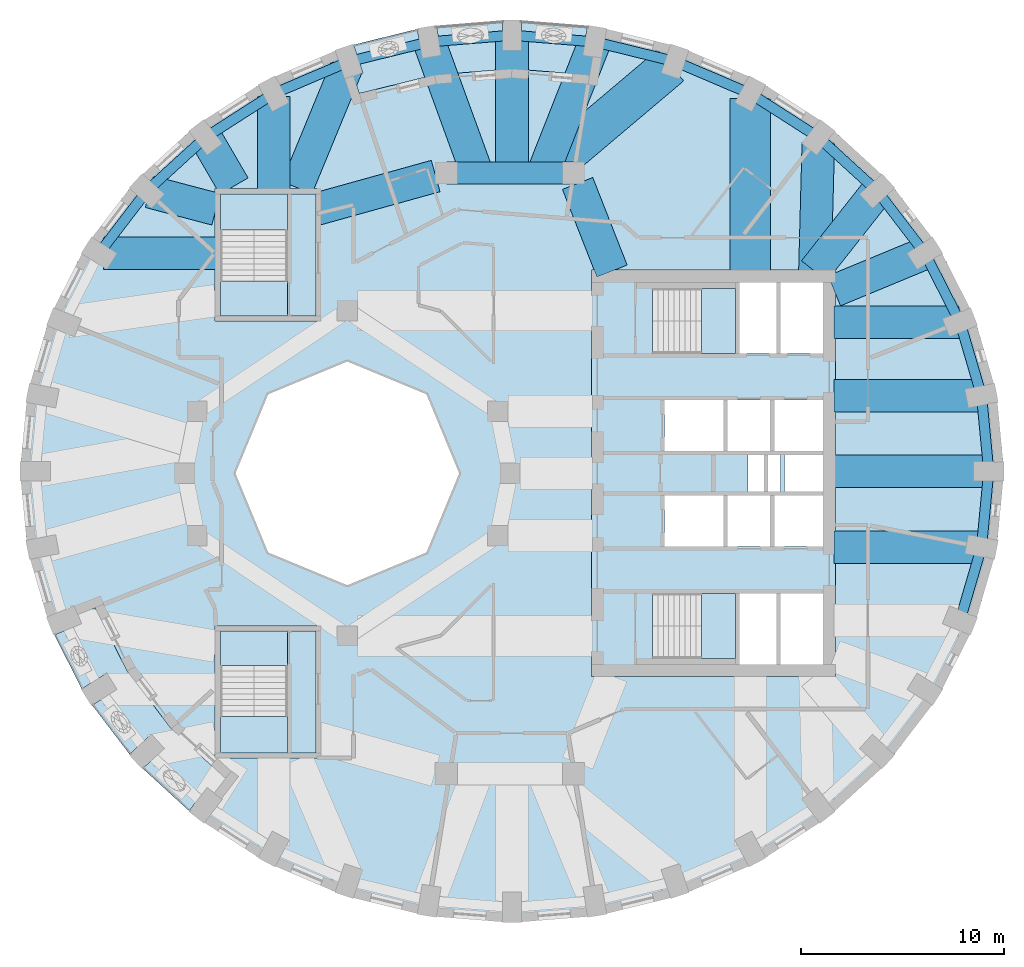
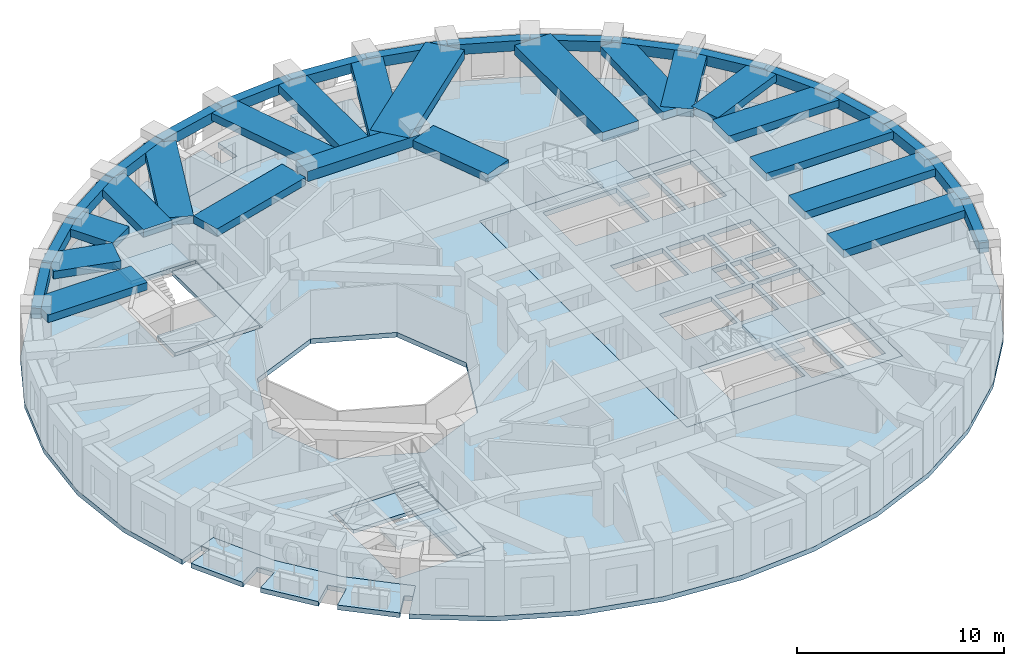
# One storey, part 2 of 11: 37 beams, 12 slabs, 4 elements without a shape of their own.
"""IFC4 building model written with IfcOpenShell, lengths in metres."""

from ifc_helpers import new_model, si_unit, direction, frame, origin, origin_2d, place, context, subcontext, project, spatial, polyline, rectangle, outline, extrude, material, layer, layer_set, material_profile, profile_set, type_object, element, aggregate, save


model = new_model("IFC4")

# Units and contexts
model_context = context("Model", 3, precision=1e-05, world=origin(), true_north=direction((0.0, 1.0)))
body_context = subcontext(model_context, "Body", "Model", "MODEL_VIEW")
ifc_project = project(units=[si_unit("LENGTHUNIT", "METRE"), si_unit("AREAUNIT", "SQUARE_METRE"), si_unit("VOLUMEUNIT", "CUBIC_METRE"), si_unit("PLANEANGLEUNIT", "RADIAN"), si_unit("MASSUNIT", "GRAM", prefix="KILO")], contexts=[model_context])

# Site, building, storey
site_placement = place(None, origin())
site = spatial("IfcSite", under=ifc_project, at=site_placement, CompositionType="ELEMENT")
building_placement = place(site_placement, origin())
building = spatial("IfcBuilding", under=site, at=building_placement, Name="Taillehof Tower", CompositionType="ELEMENT")
storey_placement = place(building_placement, frame((0.0, 0.0, 181.39990234375)))
storey = spatial("IfcBuildingStorey", under=building, at=storey_placement, Name="L51", CompositionType="ELEMENT", Elevation=181.39990234375)

# Beams
ifc_material_1 = material(Name="Concrete C50/60", Category="concrete")
ifc_material_profile_1 = material_profile(ifc_material_1, rectangle(XDim=1.10009765625, YDim=0.60009765625, at=origin_2d()), Name="RC 1100x600")
ifc_profile_set_1 = profile_set([ifc_material_profile_1], Name="Concrete C50/60")
beam_type_1 = type_object("IfcBeamType", Name="Mid-ring beam C50/60 1100x600", PredefinedType="BEAM", material=ifc_profile_set_1)
beam_1_placement = place(storey_placement, frame((3.125732421875, 14.772216796875, 2.550048828125), z_axis=(-1.0, 0.0, 0.0), x_axis=(0.0, -1.0, 0.0)))
element("IfcBeam", 1, at=beam_1_placement, inside=storey, type_object=beam_type_1, Name="Mid-ring beam MB01", PredefinedType="BEAM", context=body_context, shape_type="SweptSolid", body=[
    extrude(rectangle(XDim=1.10009765625, YDim=0.60009765625, at=origin_2d()), origin(), (0.0, 0.0, 1.0), 6.25146484375),
])
ifc_material_2 = material(Name="Concrete C50/60", Category="concrete")
ifc_material_profile_2 = material_profile(ifc_material_2, rectangle(XDim=1.60009765625, YDim=0.449951171875, at=origin_2d()), Name="RC 1600x450")
ifc_profile_set_2 = profile_set([ifc_material_profile_2], Name="Concrete C50/60")
beam_type_2 = type_object("IfcBeamType", Name="Radial band beam C50/60 1600x450", PredefinedType="BEAM", material=ifc_profile_set_2)
beam_2_placement = place(storey_placement, frame((23.550048828125, 0.10009765625, 2.625), z_axis=(-1.0, 0.0, 0.0), x_axis=(0.0, -1.0, 0.0)))
element("IfcBeam", 2, at=beam_2_placement, inside=storey, type_object=beam_type_2, Name="Radial band beam RB01", PredefinedType="BEAM", context=body_context, shape_type="SweptSolid", body=[
    extrude(rectangle(XDim=1.60009765625, YDim=0.449951171875, at=origin_2d()), origin(), (0.0, 0.0, 1.0), 7.60009765625),
])
beam_3_placement = place(storey_placement, frame((23.19384765625, 3.82470703125, 2.625), z_axis=(-1.0, 0.0, 0.0), x_axis=(0.0, -1.0, 0.0)))
element("IfcBeam", 3, at=beam_3_placement, inside=storey, type_object=beam_type_2, Name="Radial band beam RB02", PredefinedType="BEAM", context=body_context, shape_type="SweptSolid", body=[
    extrude(rectangle(XDim=1.60009765625, YDim=0.449951171875, at=origin_2d()), origin(), (0.0, 0.0, 1.0), 7.243896484375),
])
beam_4_placement = place(storey_placement, frame((22.08642578125, 7.436279296875, 2.625), z_axis=(-1.0, 0.0, 0.0), x_axis=(0.0, -1.0, 0.0)))
element("IfcBeam", 4, at=beam_4_placement, inside=storey, type_object=beam_type_2, Name="Radial band beam RB03", PredefinedType="BEAM", context=body_context, shape_type="SweptSolid", body=[
    extrude(rectangle(XDim=1.60009765625, YDim=0.449951171875, at=origin_2d()), origin(), (0.0, 0.0, 1.0), 6.136474609375),
])
beam_5_placement = place(storey_placement, frame((20.408203125, 10.824951171875, 2.625), z_axis=(-0.92395697655, -0.382496412381, 0.0), x_axis=(0.382496412381, -0.92395697655, 0.0)))
element("IfcBeam", 5, at=beam_5_placement, inside=storey, type_object=beam_type_2, Name="Radial band beam RB04", PredefinedType="BEAM", context=body_context, shape_type="SweptSolid", body=[
    extrude(rectangle(XDim=1.60009765625, YDim=0.449951171875, at=origin_2d()), origin(), (0.0, 0.0, 1.0), 4.821044921875),
])
beam_6_placement = place(storey_placement, frame((18.063720703125, 13.8876953125, 2.625), z_axis=(-0.618961692467, -0.785421175713, 0.0), x_axis=(0.785421175713, -0.618961692467, 0.0)))
element("IfcBeam", 6, at=beam_6_placement, inside=storey, type_object=beam_type_2, Name="Radial band beam RB05", PredefinedType="BEAM", context=body_context, shape_type="SweptSolid", body=[
    extrude(rectangle(XDim=1.60009765625, YDim=0.449951171875, at=origin_2d()), origin(), (0.0, 0.0, 1.0), 4.999755859375),
])
beam_7_placement = place(storey_placement, frame((15.166259765625, 16.259765625, 2.625), z_axis=(-0.026533506529, -0.999647924537, 0.0), x_axis=(0.999647924537, -0.026533506529, 0.0)))
element("IfcBeam", 7, at=beam_7_placement, inside=storey, type_object=beam_type_2, Name="Radial band beam RB06", PredefinedType="BEAM", context=body_context, shape_type="SweptSolid", body=[
    extrude(rectangle(XDim=1.60009765625, YDim=0.449951171875, at=origin_2d()), origin(), (0.0, 0.0, 1.0), 6.31201171875),
])
beam_8_placement = place(storey_placement, frame((4.172119140625, 21.22412109375, 2.625), z_axis=(-0.36711444375, -0.930175781877, 0.0), x_axis=(0.930175781877, -0.36711444375, 0.0)))
element("IfcBeam", 8, at=beam_8_placement, inside=storey, type_object=beam_type_2, Name="Radial band beam RB09", PredefinedType="BEAM", context=body_context, shape_type="SweptSolid", body=[
    extrude(rectangle(XDim=1.60009765625, YDim=0.449951171875, at=origin_2d()), origin(), (0.0, 0.0, 1.0), 6.936279296875),
])
beam_9_placement = place(storey_placement, frame((0.10009765625, 21.550048828125, 2.625), z_axis=(0.0, -1.0, 0.0), x_axis=(1.0, 0.0, 0.0)))
element("IfcBeam", 9, at=beam_9_placement, inside=storey, type_object=beam_type_2, Name="Radial band beam RB10", PredefinedType="BEAM", context=body_context, shape_type="SweptSolid", body=[
    extrude(rectangle(XDim=1.60009765625, YDim=0.449951171875, at=origin_2d()), origin(), (0.0, 0.0, 1.0), 6.77783203125),
])
beam_10_placement = place(storey_placement, frame((-3.97216796875, 21.22412109375, 2.625), z_axis=(0.341780181607, -0.939779925015, 0.0), x_axis=(0.939779925015, 0.341780181607, 0.0)))
element("IfcBeam", 10, at=beam_10_placement, inside=storey, type_object=beam_type_2, Name="Radial band beam RB11", PredefinedType="BEAM", context=body_context, shape_type="SweptSolid", body=[
    extrude(rectangle(XDim=1.60009765625, YDim=0.449951171875, at=origin_2d()), origin(), (0.0, 0.0, 1.0), 6.865234375),
])
beam_11_placement = place(storey_placement, frame((-8.04443359375, 19.95556640625, 2.625), z_axis=(-0.381176869418, -0.924502133162, 0.0), x_axis=(0.924502133162, -0.381176869418, 0.0)))
element("IfcBeam", 11, at=beam_11_placement, inside=storey, type_object=beam_type_2, Name="Radial band beam RB12", PredefinedType="BEAM", context=body_context, shape_type="SweptSolid", body=[
    extrude(rectangle(XDim=1.60009765625, YDim=0.449951171875, at=origin_2d()), origin(), (0.0, 0.0, 1.0), 6.382568359375),
])
beam_12_placement = place(storey_placement, frame((-11.625, 18.536376953125, 2.625), z_axis=(0.0, -1.0, 0.0), x_axis=(1.0, 0.0, 0.0)))
element("IfcBeam", 12, at=beam_12_placement, inside=storey, type_object=beam_type_2, Name="Radial band beam RB13", PredefinedType="BEAM", context=body_context, shape_type="SweptSolid", body=[
    extrude(rectangle(XDim=1.60009765625, YDim=0.449951171875, at=origin_2d()), origin(), (0.0, 0.0, 1.0), 4.58642578125),
])
beam_13_placement = place(storey_placement, frame((-14.973388671875, 16.53173828125, 2.625), z_axis=(0.502991419937, -0.864291404255, 0.0), x_axis=(0.864291404255, 0.502991419937, 0.0)))
element("IfcBeam", 13, at=beam_13_placement, inside=storey, type_object=beam_type_2, Name="Radial band beam RB14", PredefinedType="BEAM", context=body_context, shape_type="SweptSolid", body=[
    extrude(rectangle(XDim=1.60009765625, YDim=0.449951171875, at=origin_2d()), origin(), (0.0, 0.0, 1.0), 2.779296875),
])
beam_14_placement = place(storey_placement, frame((-17.72998046875, 13.8525390625, 2.625), z_axis=(0.966882543987, -0.255221758736, 0.0), x_axis=(0.255221758736, 0.966882543987, 0.0)))
element("IfcBeam", 14, at=beam_14_placement, inside=storey, type_object=beam_type_2, Name="Radial band beam RB15", PredefinedType="BEAM", context=body_context, shape_type="SweptSolid", body=[
    extrude(rectangle(XDim=1.60009765625, YDim=0.449951171875, at=origin_2d()), origin(), (0.0, 0.0, 1.0), 3.381591796875),
])
beam_15_placement = place(storey_placement, frame((-19.9990234375, 10.824951171875, 2.625), z_axis=(1.0, 0.0, 0.0), x_axis=(0.0, 1.0, 0.0)))
element("IfcBeam", 15, at=beam_15_placement, inside=storey, type_object=beam_type_2, Name="Radial band beam RB16", PredefinedType="BEAM", context=body_context, shape_type="SweptSolid", body=[
    extrude(rectangle(XDim=1.60009765625, YDim=0.449951171875, at=origin_2d()), origin(), (0.0, 0.0, 1.0), 5.549072265625),
])
beam_16_placement = place(storey_placement, frame((23.19384765625, -3.624755859375, 2.625), z_axis=(-1.0, 0.0, 0.0), x_axis=(0.0, -1.0, 0.0)))
element("IfcBeam", 16, at=beam_16_placement, inside=storey, type_object=beam_type_2, Name="Radial band beam RB36", PredefinedType="BEAM", context=body_context, shape_type="SweptSolid", body=[
    extrude(rectangle(XDim=1.60009765625, YDim=0.449951171875, at=origin_2d()), origin(), (0.0, 0.0, 1.0), 7.243896484375),
])
beam_17_placement = place(storey_placement, frame((3.32666015625, 14.26025390625, 2.625), z_axis=(0.365588707223, -0.930776502255, 0.0), x_axis=(0.930776502255, 0.365588707223, 0.0)))
element("IfcBeam", 17, at=beam_17_placement, inside=storey, type_object=beam_type_2, Name="Inner band beam IB205", PredefinedType="BEAM", context=body_context, shape_type="SweptSolid", body=[
    extrude(rectangle(XDim=1.60009765625, YDim=0.449951171875, at=origin_2d()), origin(), (0.0, 0.0, 1.0), 4.627197265625),
])
beam_18_placement = place(storey_placement, frame((-3.655517578125, 14.624755859375, 2.625), z_axis=(-0.963459369536, -0.267854518821, 0.0), x_axis=(0.267854518821, -0.963459369536, 0.0)))
element("IfcBeam", 18, at=beam_18_placement, inside=storey, type_object=beam_type_2, Name="Inner band beam IB206", PredefinedType="BEAM", context=body_context, shape_type="SweptSolid", body=[
    extrude(rectangle(XDim=1.60009765625, YDim=0.449951171875, at=origin_2d()), origin(), (0.0, 0.0, 1.0), 6.096923828125),
])
ifc_material_3 = material(Name="Concrete C50/60", Category="concrete")
ifc_material_profile_3 = material_profile(ifc_material_3, rectangle(XDim=2.0, YDim=0.550048828125, at=origin_2d()), Name="RC 2000x550")
ifc_profile_set_3 = profile_set([ifc_material_profile_3], Name="Concrete C50/60")
beam_type_3 = type_object("IfcBeamType", Name="Radial band beam C50/60 2000x550", PredefinedType="BEAM", material=ifc_profile_set_3)
beam_19_placement = place(storey_placement, frame((11.824951171875, 18.430908203125, 2.5751953125), z_axis=(0.0, -1.0, 0.0), x_axis=(1.0, 0.0, 0.0)))
element("IfcBeam", 19, at=beam_19_placement, inside=storey, type_object=beam_type_3, Name="Radial band beam RB07", PredefinedType="BEAM", context=body_context, shape_type="SweptSolid", body=[
    extrude(rectangle(XDim=2.0, YDim=0.550048828125, at=origin_2d()), origin(), (0.0, 0.0, 1.0), 8.48095703125),
])
beam_20_placement = place(storey_placement, frame((7.900390625, 20.070556640625, 2.5751953125), z_axis=(-0.764038060196, -0.645171173079, 0.0), x_axis=(0.645171173079, -0.764038060196, 0.0)))
element("IfcBeam", 20, at=beam_20_placement, inside=storey, type_object=beam_type_3, Name="Radial band beam RB08", PredefinedType="BEAM", context=body_context, shape_type="SweptSolid", body=[
    extrude(rectangle(XDim=2.0, YDim=0.550048828125, at=origin_2d()), origin(), (0.0, 0.0, 1.0), 7.880859375),
])
ifc_material_4 = material(Name="Concrete C50/60", Category="concrete")
ifc_material_profile_4 = material_profile(ifc_material_4, rectangle(XDim=0.5, YDim=0.60009765625, at=origin_2d()), Name="RC 500x600")
ifc_profile_set_4 = profile_set([ifc_material_profile_4], Name="Concrete C50/60")
beam_type_4 = type_object("IfcBeamType", Name="Spandrel beam C50/60 500x600", PredefinedType="SPANDREL", material=ifc_profile_set_4)
beam_21_placement = place(storey_placement, frame((23.550048828125, 0.10009765625, 2.550048828125), z_axis=(-0.095200147056, 0.995458151808, 0.0), x_axis=(-0.995458151808, -0.095200147056, 0.0)))
element("IfcBeam", 21, at=beam_21_placement, inside=storey, type_object=beam_type_4, Name="Spandrel beam SB01", PredefinedType="SPANDREL", context=body_context, shape_type="SweptSolid", body=[
    extrude(rectangle(XDim=0.5, YDim=0.60009765625, at=origin_2d()), origin(), (0.0, 0.0, 1.0), 3.74169921875),
])
beam_22_placement = place(storey_placement, frame((23.19384765625, 3.82470703125, 2.550048828125), z_axis=(-0.281158162606, 0.959661444261, 0.0), x_axis=(-0.959661444261, -0.281158162606, 0.0)))
element("IfcBeam", 22, at=beam_22_placement, inside=storey, type_object=beam_type_4, Name="Spandrel beam SB02", PredefinedType="SPANDREL", context=body_context, shape_type="SweptSolid", body=[
    extrude(rectangle(XDim=0.5, YDim=0.60009765625, at=origin_2d()), origin(), (0.0, 0.0, 1.0), 3.763427734375),
])
beam_23_placement = place(storey_placement, frame((22.1357421875, 7.436279296875, 2.550048828125), z_axis=(-0.454183451696, 0.890908183937, 0.0), x_axis=(-0.890908183937, -0.454183451696, 0.0)))
element("IfcBeam", 23, at=beam_23_placement, inside=storey, type_object=beam_type_4, Name="Spandrel beam SB03", PredefinedType="SPANDREL", context=body_context, shape_type="SweptSolid", body=[
    extrude(rectangle(XDim=0.5, YDim=0.60009765625, at=origin_2d()), origin(), (0.0, 0.0, 1.0), 3.8037109375),
])
beam_24_placement = place(storey_placement, frame((20.408203125, 10.824951171875, 2.550048828125), z_axis=(-0.60784004271, 0.794059495553, 0.0), x_axis=(-0.794059495553, -0.60784004271, 0.0)))
element("IfcBeam", 24, at=beam_24_placement, inside=storey, type_object=beam_type_4, Name="Spandrel beam SB04", PredefinedType="SPANDREL", context=body_context, shape_type="SweptSolid", body=[
    extrude(rectangle(XDim=0.5, YDim=0.60009765625, at=origin_2d()), origin(), (0.0, 0.0, 1.0), 3.857177734375),
])
beam_25_placement = place(storey_placement, frame((18.063720703125, 13.8876953125, 2.550048828125), z_axis=(-0.737849657471, 0.674965097594, 0.0), x_axis=(-0.674965097594, -0.737849657471, 0.0)))
element("IfcBeam", 25, at=beam_25_placement, inside=storey, type_object=beam_type_4, Name="Spandrel beam SB05", PredefinedType="SPANDREL", context=body_context, shape_type="SweptSolid", body=[
    extrude(rectangle(XDim=0.5, YDim=0.60009765625, at=origin_2d()), origin(), (0.0, 0.0, 1.0), 3.917236328125),
])
beam_26_placement = place(storey_placement, frame((15.17333984375, 16.53173828125, 2.550048828125), z_axis=(-0.842092940799, 0.53933243835, 0.0), x_axis=(-0.53933243835, -0.842092940799, 0.0)))
element("IfcBeam", 26, at=beam_26_placement, inside=storey, type_object=beam_type_4, Name="Spandrel beam SB06", PredefinedType="SPANDREL", context=body_context, shape_type="SweptSolid", body=[
    extrude(rectangle(XDim=0.5, YDim=0.60009765625, at=origin_2d()), origin(), (0.0, 0.0, 1.0), 3.976318359375),
])
beam_27_placement = place(storey_placement, frame((11.824951171875, 18.67626953125, 2.550048828125), z_axis=(-0.919827173659, 0.392323808351, 0.0), x_axis=(-0.392323808351, -0.919827173659, 0.0)))
element("IfcBeam", 27, at=beam_27_placement, inside=storey, type_object=beam_type_4, Name="Spandrel beam SB07", PredefinedType="SPANDREL", context=body_context, shape_type="SweptSolid", body=[
    extrude(rectangle(XDim=0.5, YDim=0.60009765625, at=origin_2d()), origin(), (0.0, 0.0, 1.0), 4.027587890625),
])
beam_28_placement = place(storey_placement, frame((8.120361328125, 20.25634765625, 2.550048828125), z_axis=(-0.971248584585, 0.238067610023, 0.0), x_axis=(-0.238067610023, -0.971248584585, 0.0)))
element("IfcBeam", 28, at=beam_28_placement, inside=storey, type_object=beam_type_4, Name="Spandrel beam SB08", PredefinedType="SPANDREL", context=body_context, shape_type="SweptSolid", body=[
    extrude(rectangle(XDim=0.5, YDim=0.60009765625, at=origin_2d()), origin(), (0.0, 0.0, 1.0), 4.065185546875),
])
beam_29_placement = place(storey_placement, frame((4.172119140625, 21.22412109375, 2.550048828125), z_axis=(-0.996812047205, 0.079785603634, 0.0), x_axis=(-0.079785603634, -0.996812047205, 0.0)))
element("IfcBeam", 29, at=beam_29_placement, inside=storey, type_object=beam_type_4, Name="Spandrel beam SB09", PredefinedType="SPANDREL", context=body_context, shape_type="SweptSolid", body=[
    extrude(rectangle(XDim=0.5, YDim=0.60009765625, at=origin_2d()), origin(), (0.0, 0.0, 1.0), 4.0849609375),
])
beam_30_placement = place(storey_placement, frame((0.10009765625, 21.550048828125, 2.550048828125), z_axis=(-0.996812427616, -0.079780850771, 0.0), x_axis=(0.079780850771, -0.996812427616, 0.0)))
element("IfcBeam", 30, at=beam_30_placement, inside=storey, type_object=beam_type_4, Name="Spandrel beam SB10", PredefinedType="SPANDREL", context=body_context, shape_type="SweptSolid", body=[
    extrude(rectangle(XDim=0.5, YDim=0.60009765625, at=origin_2d()), origin(), (0.0, 0.0, 1.0), 4.085205078125),
])
beam_31_placement = place(storey_placement, frame((-3.97216796875, 21.22412109375, 2.550048828125), z_axis=(-0.971248584585, -0.238067610023, 0.0), x_axis=(0.238067610023, -0.971248584585, 0.0)))
element("IfcBeam", 31, at=beam_31_placement, inside=storey, type_object=beam_type_4, Name="Spandrel beam SB11", PredefinedType="SPANDREL", context=body_context, shape_type="SweptSolid", body=[
    extrude(rectangle(XDim=0.5, YDim=0.60009765625, at=origin_2d()), origin(), (0.0, 0.0, 1.0), 4.065185546875),
])
beam_32_placement = place(storey_placement, frame((-7.92041015625, 20.25634765625, 2.550048828125), z_axis=(-0.919827173659, -0.392323808351, 0.0), x_axis=(0.392323808351, -0.919827173659, 0.0)))
element("IfcBeam", 32, at=beam_32_placement, inside=storey, type_object=beam_type_4, Name="Spandrel beam SB12", PredefinedType="SPANDREL", context=body_context, shape_type="SweptSolid", body=[
    extrude(rectangle(XDim=0.5, YDim=0.60009765625, at=origin_2d()), origin(), (0.0, 0.0, 1.0), 4.027587890625),
])
beam_33_placement = place(storey_placement, frame((-11.625, 18.67626953125, 2.550048828125), z_axis=(-0.842092940799, -0.53933243835, 0.0), x_axis=(0.53933243835, -0.842092940799, 0.0)))
element("IfcBeam", 33, at=beam_33_placement, inside=storey, type_object=beam_type_4, Name="Spandrel beam SB13", PredefinedType="SPANDREL", context=body_context, shape_type="SweptSolid", body=[
    extrude(rectangle(XDim=0.5, YDim=0.60009765625, at=origin_2d()), origin(), (0.0, 0.0, 1.0), 3.976318359375),
])
beam_34_placement = place(storey_placement, frame((-14.973388671875, 16.53173828125, 2.550048828125), z_axis=(-0.737849657471, -0.674965097594, 0.0), x_axis=(0.674965097594, -0.737849657471, 0.0)))
element("IfcBeam", 34, at=beam_34_placement, inside=storey, type_object=beam_type_4, Name="Spandrel beam SB14", PredefinedType="SPANDREL", context=body_context, shape_type="SweptSolid", body=[
    extrude(rectangle(XDim=0.5, YDim=0.60009765625, at=origin_2d()), origin(), (0.0, 0.0, 1.0), 3.917236328125),
])
beam_35_placement = place(storey_placement, frame((-17.86376953125, 13.8876953125, 2.550048828125), z_axis=(-0.60784004271, -0.794059495553, 0.0), x_axis=(0.794059495553, -0.60784004271, 0.0)))
element("IfcBeam", 35, at=beam_35_placement, inside=storey, type_object=beam_type_4, Name="Spandrel beam SB15", PredefinedType="SPANDREL", context=body_context, shape_type="SweptSolid", body=[
    extrude(rectangle(XDim=0.5, YDim=0.60009765625, at=origin_2d()), origin(), (0.0, 0.0, 1.0), 3.857177734375),
])
beam_36_placement = place(storey_placement, frame((22.1357421875, -7.236328125, 2.550048828125), z_axis=(0.281158162606, 0.959661444261, 0.0), x_axis=(-0.959661444261, 0.281158162606, 0.0)))
element("IfcBeam", 36, at=beam_36_placement, inside=storey, type_object=beam_type_4, Name="Spandrel beam SB35", PredefinedType="SPANDREL", context=body_context, shape_type="SweptSolid", body=[
    extrude(rectangle(XDim=0.5, YDim=0.60009765625, at=origin_2d()), origin(), (0.0, 0.0, 1.0), 3.763427734375),
])
beam_37_placement = place(storey_placement, frame((23.19384765625, -3.624755859375, 2.550048828125), z_axis=(0.095193963834, 0.995458743118, 0.0), x_axis=(-0.995458743118, 0.095193963834, 0.0)))
element("IfcBeam", 37, at=beam_37_placement, inside=storey, type_object=beam_type_4, Name="Spandrel beam SB36", PredefinedType="SPANDREL", context=body_context, shape_type="SweptSolid", body=[
    extrude(rectangle(XDim=0.5, YDim=0.60009765625, at=origin_2d()), origin(), (0.0, 0.0, 1.0), 3.741943359375),
])

# Slabs
ifc_material_5 = material(Name="Concrete C40/50", Category="concrete")
ifc_layer_1 = layer(ifc_material_5, 0.280029296875)
ifc_layer_set_1 = layer_set([ifc_layer_1], Name="Balcony slab 280")
slab_type_1 = type_object("IfcSlabType", Name="Balcony slab 280", PredefinedType="USERDEFINED", material=ifc_layer_set_1)
slab_1_placement = place(storey_placement, frame((0.0, 0.0, -0.27978515625)))
element("IfcSlab", 38, at=slab_1_placement, inside=storey, type_object=slab_type_1, Name="Balcony L51 pocket 6", ObjectType="BALCONY", PredefinedType="USERDEFINED", context=body_context, shape_type="SweptSolid", body=[
    extrude(outline(polyline([(-13.991455078125, -15.00439453125), (-14.541015625, -15.718017578125), (-14.892333984375, -15.447509765625), (-15.783447265625, -16.605224609375), (-18.063232421875, -14.513916015625), (-16.98974609375, -13.531982421875), (-17.630859375, -12.8310546875), (-18.7080078125, -13.81640625), (-20.551025390625, -11.40185546875), (-19.320556640625, -10.62744140625), (-19.82666015625, -9.823486328125), (-21.06103515625, -10.600341796875), (-22.41455078125, -7.937255859375), (-21.0634765625, -7.4013671875), (-21.24658203125, -6.939697265625), (-20.40966796875, -6.607666015625), (-18.82666015625, -9.7216796875), (-16.66748046875, -12.550048828125), (-13.991455078125, -15.00439453125)])), origin(), (0.0, 0.0, 1.0), 0.27978515625),
])
slab_2_placement = place(storey_placement, frame((0.0, 0.0, -0.27978515625)))
element("IfcSlab", 39, at=slab_2_placement, inside=storey, type_object=slab_type_1, Name="Balcony L51 pocket 2", ObjectType="BALCONY", PredefinedType="USERDEFINED", context=body_context, shape_type="SweptSolid", body=[
    extrude(outline(polyline([(-7.416748046875, 18.684814453125), (-7.701904296875, 19.53857421875), (-7.232177734375, 19.695556640625), (-7.694580078125, 21.079833984375), (-4.5546875, 21.8515625), (-4.3212890625, 20.407958984375), (-3.38330078125, 20.5595703125), (-3.61669921875, 22.001708984375), (-0.375, 22.261962890625), (-0.375, 20.800048828125), (0.574951171875, 20.800048828125), (0.574951171875, 22.261962890625), (3.816650390625, 22.001708984375), (3.58349609375, 20.5595703125), (4.062744140625, 20.48193359375), (3.9189453125, 19.593505859375), (0.10009765625, 19.89990234375), (-3.718994140625, 19.593505859375), (-7.416748046875, 18.684814453125)])), origin(), (0.0, 0.0, 1.0), 0.27978515625),
])
ifc_material_6 = material(Name="Concrete C40/50", Category="concrete")
ifc_layer_2 = layer(ifc_material_6, 0.280029296875)
ifc_layer_set_2 = layer_set([ifc_layer_2], Name="Core floor slab C40/50 280")
slab_type_2 = type_object("IfcSlabType", Name="Core floor slab C40/50 280", PredefinedType="FLOOR", material=ifc_layer_set_2)
slab_3_placement = place(storey_placement, frame((0.0, 0.0, -0.27978515625)))
element("IfcSlab", 40, at=slab_3_placement, inside=storey, type_object=slab_type_2, Name="Core floor L51", PredefinedType="FLOOR", context=body_context, shape_type="SweptSolid", body=[
    extrude(outline(polyline([(4.0, -10.0), (4.0, 10.0), (16.0, 10.0), (16.0, -10.0), (4.0, -10.0)]), holes=[polyline([(11.10009765625, -9.10009765625), (11.10009765625, -5.89990234375), (7.00048828125, -5.89990234375), (7.00048828125, -9.10009765625), (11.10009765625, -9.10009765625)]), polyline([(10.5, -3.60009765625), (10.5, -1.10009765625), (7.60009765625, -1.10009765625), (7.60009765625, -3.60009765625), (10.5, -3.60009765625)]), polyline([(12.800048828125, -3.60009765625), (12.800048828125, -1.10009765625), (10.699951171875, -1.10009765625), (10.699951171875, -3.60009765625), (12.800048828125, -3.60009765625)]), polyline([(12.5, -0.89990234375), (12.5, 0.89990234375), (11.699951171875, 0.89990234375), (11.699951171875, -0.89990234375), (12.5, -0.89990234375)]), polyline([(10.5, 1.10009765625), (10.5, 3.60009765625), (7.60009765625, 3.60009765625), (7.60009765625, 1.10009765625), (10.5, 1.10009765625)]), polyline([(12.800048828125, 1.10009765625), (12.800048828125, 3.60009765625), (10.699951171875, 3.60009765625), (10.699951171875, 1.10009765625), (12.800048828125, 1.10009765625)]), polyline([(11.10009765625, 5.89990234375), (11.10009765625, 9.10009765625), (7.00048828125, 9.10009765625), (7.00048828125, 5.89990234375), (11.10009765625, 5.89990234375)]), polyline([(13.10009765625, 5.89990234375), (13.10009765625, 9.39990234375), (11.300048828125, 9.39990234375), (11.300048828125, 5.89990234375), (13.10009765625, 5.89990234375)]), polyline([(13.10009765625, -9.39990234375), (13.10009765625, -5.89990234375), (11.300048828125, -5.89990234375), (11.300048828125, -9.39990234375), (13.10009765625, -9.39990234375)]), polyline([(15.39990234375, -9.39990234375), (15.39990234375, -5.89990234375), (13.300048828125, -5.89990234375), (13.300048828125, -9.39990234375), (15.39990234375, -9.39990234375)]), polyline([(15.39990234375, -3.60009765625), (15.39990234375, -1.10009765625), (13.0, -1.10009765625), (13.0, -3.60009765625), (15.39990234375, -3.60009765625)]), polyline([(13.300048828125, -0.89990234375), (13.300048828125, 0.89990234375), (12.699951171875, 0.89990234375), (12.699951171875, -0.89990234375), (13.300048828125, -0.89990234375)]), polyline([(15.39990234375, -0.89990234375), (15.39990234375, 0.89990234375), (13.5, 0.89990234375), (13.5, -0.89990234375), (15.39990234375, -0.89990234375)]), polyline([(15.39990234375, 1.10009765625), (15.39990234375, 3.60009765625), (13.0, 3.60009765625), (13.0, 1.10009765625), (15.39990234375, 1.10009765625)]), polyline([(15.39990234375, 5.89990234375), (15.39990234375, 9.39990234375), (13.300048828125, 9.39990234375), (13.300048828125, 5.89990234375), (15.39990234375, 5.89990234375)])]), origin(), (0.0, 0.0, 1.0), 0.27978515625),
])
ifc_material_7 = material(Name="Concrete C40/50", Category="concrete")
ifc_layer_3 = layer(ifc_material_7, 0.280029296875)
ifc_layer_set_3 = layer_set([ifc_layer_3], Name="Floor slab 280")
slab_type_3 = type_object("IfcSlabType", Name="Floor slab 280", PredefinedType="FLOOR", material=ifc_layer_set_3)
slab_4_placement = place(storey_placement, frame((0.0, 0.0, -0.27978515625)))
element("IfcSlab", 41, at=slab_4_placement, inside=storey, type_object=slab_type_3, Name="Floor slab L51", PredefinedType="FLOOR", context=body_context, shape_type="SweptSolid", body=[
    extrude(outline(polyline([(24.300048828125, 0.10009765625), (23.932373046875, 3.955078125), (22.840576171875, 7.69287109375), (21.057861328125, 11.199951171875), (18.63818359375, 14.369873046875), (15.655517578125, 17.106201171875), (12.199951171875, 19.32568359375), (8.376953125, 20.961181640625), (4.30224609375, 21.962646484375), (3.919189453125, 19.593505859375), (0.10009765625, 19.89990234375), (-3.718994140625, 19.593505859375), (-7.416748046875, 18.684814453125), (-8.177001953125, 20.961181640625), (-12.0, 19.32568359375), (-15.45556640625, 17.106201171875), (-18.438232421875, 14.369873046875), (-20.85791015625, 11.199951171875), (-22.640625, 7.69287109375), (-23.732421875, 3.955078125), (-24.10009765625, 0.10009765625), (-23.732421875, -3.7548828125), (-22.640625, -7.492919921875), (-20.40966796875, -6.607666015625), (-18.82666015625, -9.7216796875), (-16.66748046875, -12.550048828125), (-13.991455078125, -15.00439453125), (-15.45556640625, -16.90625), (-12.0, -19.125732421875), (-8.177001953125, -20.76123046875), (-4.102294921875, -21.7626953125), (0.10009765625, -22.10009765625), (4.30224609375, -21.7626953125), (8.376953125, -20.76123046875), (12.199951171875, -19.125732421875), (15.655517578125, -16.90625), (18.63818359375, -14.169921875), (21.057861328125, -11.0), (22.840576171875, -7.492919921875), (23.932373046875, -3.7548828125), (24.300048828125, 0.10009765625)]), holes=[polyline([(-14.5, -7.5), (-9.5, -7.5), (-9.5, -14.0), (-14.5, -14.0), (-14.5, -7.5)]), polyline([(-8.0, -5.5), (-11.88916015625, -3.88916015625), (-13.5, 0.0), (-11.88916015625, 3.88916015625), (-8.0, 5.5), (-4.11083984375, 3.88916015625), (-2.5, 0.0), (-4.11083984375, -3.88916015625), (-8.0, -5.5)]), polyline([(16.0, 10.0), (16.0, -10.0), (4.0, -10.0), (4.0, 10.0), (16.0, 10.0)]), polyline([(-14.5, 14.0), (-9.5, 14.0), (-9.5, 7.5), (-14.5, 7.5), (-14.5, 14.0)])]), origin(), (0.0, 0.0, 1.0), 0.27978515625),
])

# Stair, slab
ifc_material_8 = material(Name="Concrete C40/50", Category="concrete")
stair_type = type_object("IfcStairType", Name="Exit stair half-turn", PredefinedType="HALF_TURN_STAIR", material=ifc_material_8)
stair_1_placement = place(storey_placement, origin())
stair_1 = element("IfcStair", 42, at=stair_1_placement, inside=storey, type_object=stair_type, Name="Exit stair S1", PredefinedType="HALF_TURN_STAIR")
ifc_material_9 = material(Name="Concrete C40/50", Category="concrete")
ifc_layer_4 = layer(ifc_material_9, 0.2099609375)
ifc_layer_set_4 = layer_set([ifc_layer_4], Name="Stair landing C40/50 210")
slab_type_4 = type_object("IfcSlabType", Name="Stair landing C40/50 210", PredefinedType="LANDING", material=ifc_layer_set_4)
slab_5_placement = place(storey_placement, frame((0.0, 0.0, 1.440185546875)))
slab_5 = element("IfcSlab", 43, at=slab_5_placement, type_object=slab_type_4, Name="S1 landing 1", PredefinedType="LANDING", context=body_context, shape_type="SweptSolid", body=[
    extrude(outline(polyline([(9.429931640625, 5.89990234375), (11.10009765625, 5.89990234375), (11.10009765625, 9.10009765625), (9.429931640625, 9.10009765625), (9.429931640625, 5.89990234375)])), origin(), (0.0, 0.0, 1.0), 0.2099609375),
])
aggregate(stair_1, [slab_5])

stair_2_placement = place(storey_placement, origin())
stair_2 = element("IfcStair", 44, at=stair_2_placement, inside=storey, type_object=stair_type, Name="Exit stair S2", PredefinedType="HALF_TURN_STAIR")
slab_6_placement = place(storey_placement, frame((0.0, 0.0, 1.440185546875)))
slab_6 = element("IfcSlab", 45, at=slab_6_placement, type_object=slab_type_4, Name="S2 landing 1", PredefinedType="LANDING", context=body_context, shape_type="SweptSolid", body=[
    extrude(outline(polyline([(9.429931640625, -5.89990234375), (11.10009765625, -5.89990234375), (11.10009765625, -9.10009765625), (9.429931640625, -9.10009765625), (9.429931640625, -5.89990234375)])), origin(), (0.0, 0.0, 1.0), 0.2099609375),
])
aggregate(stair_2, [slab_6])

stair_3_placement = place(storey_placement, origin())
stair_3 = element("IfcStair", 46, at=stair_3_placement, inside=storey, type_object=stair_type, Name="Exit stair S3", PredefinedType="HALF_TURN_STAIR")
slab_7_placement = place(storey_placement, frame((0.0, 0.0, 1.440185546875)))
slab_7 = element("IfcSlab", 47, at=slab_7_placement, type_object=slab_type_4, Name="S3 landing 1", PredefinedType="LANDING", context=body_context, shape_type="SweptSolid", body=[
    extrude(outline(polyline([(-14.25, 11.969970703125), (-14.25, 13.75), (-10.949951171875, 13.75), (-10.949951171875, 11.969970703125), (-14.25, 11.969970703125)])), origin(), (0.0, 0.0, 1.0), 0.2099609375),
])
aggregate(stair_3, [slab_7])

stair_4_placement = place(storey_placement, origin())
stair_4 = element("IfcStair", 48, at=stair_4_placement, inside=storey, type_object=stair_type, Name="Exit stair S4", PredefinedType="HALF_TURN_STAIR")
slab_8_placement = place(storey_placement, frame((0.0, 0.0, 1.440185546875)))
slab_8 = element("IfcSlab", 49, at=slab_8_placement, type_object=slab_type_4, Name="S4 landing 1", PredefinedType="LANDING", context=body_context, shape_type="SweptSolid", body=[
    extrude(outline(polyline([(-14.25, -11.969970703125), (-14.25, -13.75), (-10.949951171875, -13.75), (-10.949951171875, -11.969970703125), (-14.25, -11.969970703125)])), origin(), (0.0, 0.0, 1.0), 0.2099609375),
])
aggregate(stair_4, [slab_8])

# Slabs
slab_9_placement = place(storey_placement, frame((0.0, 0.0, -0.2099609375)))
element("IfcSlab", 50, at=slab_9_placement, inside=storey, type_object=slab_type_4, Name="Stair S3 floor landing", PredefinedType="LANDING", context=body_context, shape_type="SweptSolid", body=[
    extrude(outline(polyline([(-14.25, 7.75), (-14.25, 9.449951171875), (-10.949951171875, 9.449951171875), (-10.949951171875, 7.75), (-14.25, 7.75)])), origin(), (0.0, 0.0, 1.0), 0.2099609375),
])
slab_10_placement = place(storey_placement, frame((0.0, 0.0, -0.2099609375)))
element("IfcSlab", 51, at=slab_10_placement, inside=storey, type_object=slab_type_4, Name="Stair lobby S3 floor", PredefinedType="LANDING", context=body_context, shape_type="SweptSolid", body=[
    extrude(outline(polyline([(-10.949951171875, 7.75), (-9.550048828125, 7.75), (-9.550048828125, 13.75), (-10.949951171875, 13.75), (-10.949951171875, 7.75)])), origin(), (0.0, 0.0, 1.0), 0.2099609375),
])
slab_11_placement = place(storey_placement, frame((0.0, 0.0, -0.2099609375)))
element("IfcSlab", 52, at=slab_11_placement, inside=storey, type_object=slab_type_4, Name="Stair S4 floor landing", PredefinedType="LANDING", context=body_context, shape_type="SweptSolid", body=[
    extrude(outline(polyline([(-14.25, -7.75), (-14.25, -9.449951171875), (-10.949951171875, -9.449951171875), (-10.949951171875, -7.75), (-14.25, -7.75)])), origin(), (0.0, 0.0, 1.0), 0.2099609375),
])
slab_12_placement = place(storey_placement, frame((0.0, 0.0, -0.2099609375)))
element("IfcSlab", 53, at=slab_12_placement, inside=storey, type_object=slab_type_4, Name="Stair lobby S4 floor", PredefinedType="LANDING", context=body_context, shape_type="SweptSolid", body=[
    extrude(outline(polyline([(-10.949951171875, -13.75), (-9.550048828125, -13.75), (-9.550048828125, -7.75), (-10.949951171875, -7.75), (-10.949951171875, -13.75)])), origin(), (0.0, 0.0, 1.0), 0.2099609375),
])

save(model, "model.ifc")
